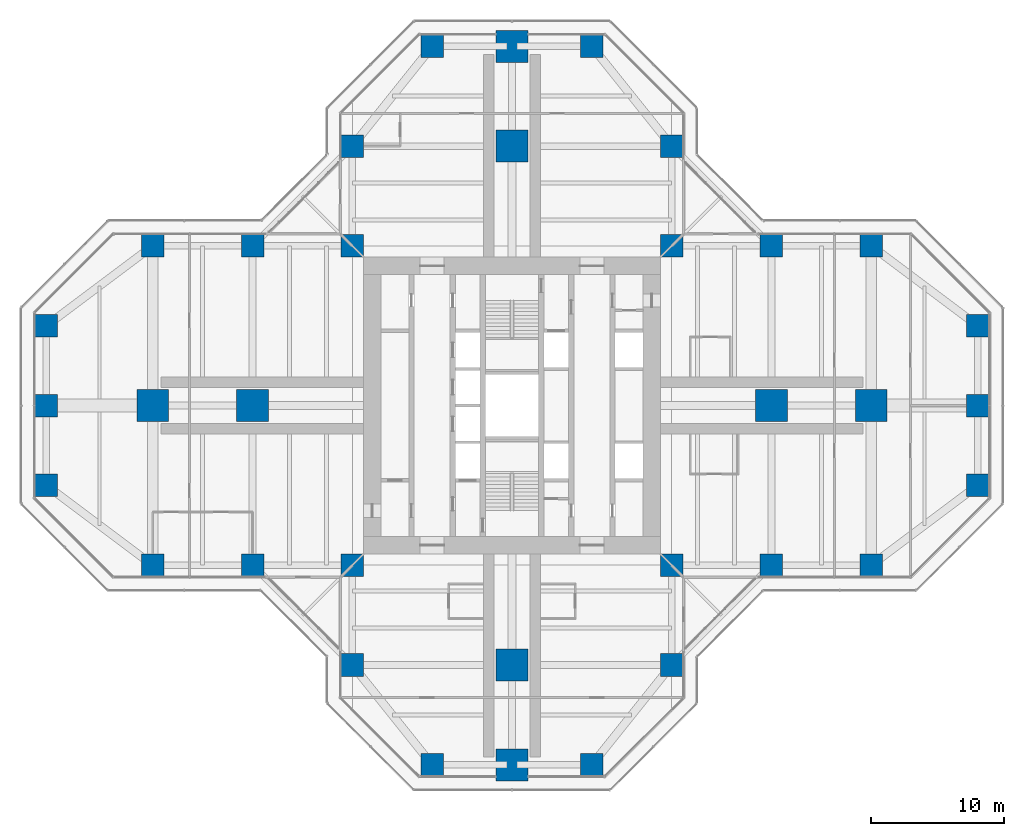
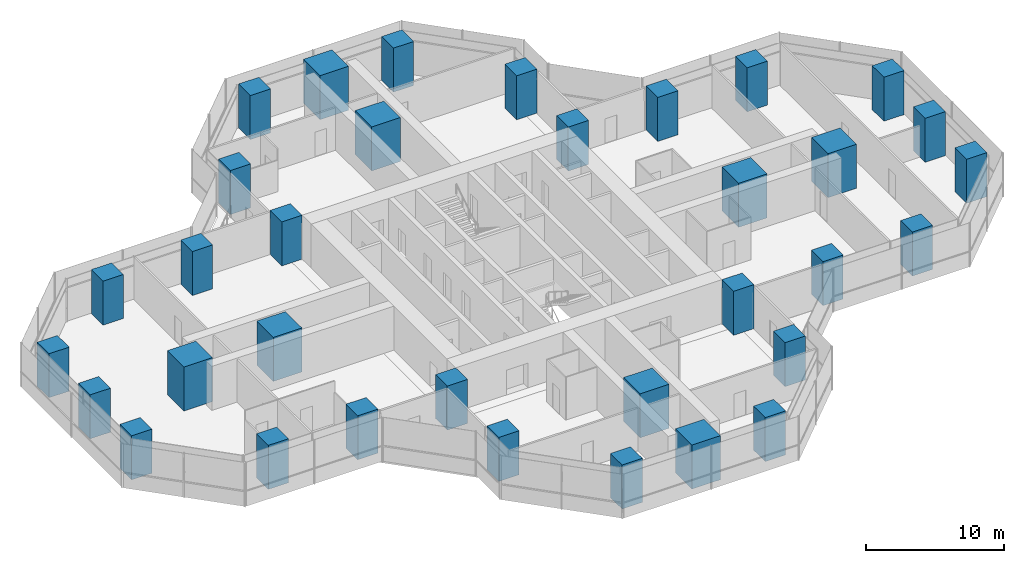
# One storey, part 1 of 19: 34 columns.
"""IFC4 building model written with IfcOpenShell, lengths in metres."""

from ifc_helpers import new_model, si_unit, direction, frame, origin, origin_2d, place, context, subcontext, project, spatial, rectangle, extrude, material, material_profile, profile_set, type_object, element, save


model = new_model("IFC4")

# Units and contexts
model_context = context("Model", 3, precision=1e-05, world=origin(), true_north=direction((0.0, 1.0)))
body_context = subcontext(model_context, "Body", "Model", "MODEL_VIEW")
ifc_project = project(units=[si_unit("LENGTHUNIT", "METRE"), si_unit("AREAUNIT", "SQUARE_METRE"), si_unit("VOLUMEUNIT", "CUBIC_METRE"), si_unit("PLANEANGLEUNIT", "RADIAN"), si_unit("MASSUNIT", "GRAM", prefix="KILO")], contexts=[model_context])

# Site, building, storey
site_placement = place(None, origin())
site = spatial("IfcSite", under=ifc_project, at=site_placement, CompositionType="ELEMENT")
building_placement = place(site_placement, origin())
building = spatial("IfcBuilding", under=site, at=building_placement, Name="Mizan Broadcast Tower", CompositionType="ELEMENT")
storey_placement = place(building_placement, frame((0.0, 0.0, 186.60009765625)))
storey = spatial("IfcBuildingStorey", under=building, at=storey_placement, Name="L43", CompositionType="ELEMENT", Elevation=186.60009765625)

# Columns
ifc_material_1 = material(Name="Concrete C70/85", Category="concrete")
ifc_material_profile_1 = material_profile(ifc_material_1, rectangle(XDim=1.699951171875, YDim=1.699951171875, at=origin_2d()), Name="RC 1700x1700")
ifc_profile_set_1 = profile_set([ifc_material_profile_1], Name="Concrete C70/85")
column_type_1 = type_object("IfcColumnType", Name="RC COLUMN 1700x1700 C70/85", PredefinedType="COLUMN", material=ifc_profile_set_1)
for number, where, z_axis, x_axis, name in (
    (1, (-6.0, -27.0, 0.0), (0.0, 0.0, 1.0), (1.0, 0.0, 0.0), "Column 5/B L43"),
    (2, (6.0, -27.0, 0.0), (0.0, 0.0, 1.0), (1.0, 0.0, 0.0), "Column 7/B L43"),
    (3, (-12.0, -19.5, 0.0), (0.0, 0.0, 1.0), (1.0, 0.0, 0.0), "Column 4/C L43"),
    (4, (12.0, -19.5, 0.0), (0.0, 0.0, 1.0), (1.0, 0.0, 0.0), "Column 8/C L43"),
    (5, (-27.0, -12.0, 0.0), (0.0, 0.0, 1.0), (1.0, 0.0, 0.0), "Column 2/D L43"),
    (6, (-19.5, -12.0, 0.0), (0.0, 0.0, 1.0), (1.0, 0.0, 0.0), "Column 3/D L43"),
    (7, (-12.0, -12.0, 0.0), (0.0, 0.0, 1.0), (1.0, 0.0, 0.0), "Column 4/D L43"),
    (8, (12.0, -12.0, 0.0), (0.0, 0.0, 1.0), (1.0, 0.0, 0.0), "Column 8/D L43"),
    (9, (19.5, -12.0, 0.0), (0.0, 0.0, 1.0), (1.0, 0.0, 0.0), "Column 9/D L43"),
    (10, (27.0, -12.0, 0.0), (0.0, 0.0, 1.0), (1.0, 0.0, 0.0), "Column 10/D L43"),
    (11, (-35.0, -6.0, 0.0), (0.0, 0.0, 1.0), (1.0, 0.0, 0.0), "Column 1/E L43"),
    (12, (35.0, -6.0, 0.0), (0.0, 0.0, 1.0), (1.0, 0.0, 0.0), "Column 11/E L43"),
    (13, (-35.0, 0.0, 0.0), (0.0, 0.0, 1.0), (1.0, 0.0, 0.0), "Column 1/F L43"),
    (14, (35.0, 0.0, 0.0), (0.0, 0.0, 1.0), (1.0, 0.0, 0.0), "Column 11/F L43"),
    (15, (-35.0, 6.0, 0.0), (0.0, 0.0, 1.0), (1.0, 0.0, 0.0), "Column 1/G L43"),
    (16, (35.0, 6.0, 0.0), (0.0, 0.0, 1.0), (1.0, 0.0, 0.0), "Column 11/G L43"),
    (17, (-27.0, 12.0, 0.0), (0.0, 0.0, 1.0), (1.0, 0.0, 0.0), "Column 2/H L43"),
    (18, (-19.5, 12.0, 0.0), (0.0, 0.0, 1.0), (1.0, 0.0, 0.0), "Column 3/H L43"),
    (19, (-12.0, 12.0, 0.0), (0.0, 0.0, 1.0), (1.0, 0.0, 0.0), "Column 4/H L43"),
    (20, (12.0, 12.0, 0.0), (0.0, 0.0, 1.0), (1.0, 0.0, 0.0), "Column 8/H L43"),
    (21, (19.5, 12.0, 0.0), (0.0, 0.0, 1.0), (1.0, 0.0, 0.0), "Column 9/H L43"),
    (22, (27.0, 12.0, 0.0), (0.0, 0.0, 1.0), (1.0, 0.0, 0.0), "Column 10/H L43"),
    (23, (-12.0, 19.5, 0.0), (0.0, 0.0, 1.0), (1.0, 0.0, 0.0), "Column 4/J L43"),
    (24, (12.0, 19.5, 0.0), (0.0, 0.0, 1.0), (1.0, 0.0, 0.0), "Column 8/J L43"),
    (25, (-6.0, 27.0, 0.0), (0.0, 0.0, 1.0), (1.0, 0.0, 0.0), "Column 5/K L43"),
    (26, (6.0, 27.0, 0.0), (0.0, 0.0, 1.0), (1.0, 0.0, 0.0), "Column 7/K L43"),
):
    element("IfcColumn", number, at=place(storey_placement, frame(where, z_axis=z_axis, x_axis=x_axis)), inside=storey, type_object=column_type_1, Name=name, PredefinedType="COLUMN", context=body_context, shape_type="SweptSolid", body=[
        extrude(rectangle(XDim=1.699951171875, YDim=1.699951171875, at=origin_2d()), origin(), (0.0, 0.0, 1.0), 3.89990234375),
    ])
ifc_material_2 = material(Name="Concrete C70/85", Category="concrete")
ifc_material_profile_2 = material_profile(ifc_material_2, rectangle(XDim=2.39990234375, YDim=2.39990234375, at=origin_2d()), Name="RC 2400x2400")
ifc_profile_set_2 = profile_set([ifc_material_profile_2], Name="Concrete C70/85")
column_type_2 = type_object("IfcColumnType", Name="RC COLUMN 2400x2400 C70/85", PredefinedType="COLUMN", material=ifc_profile_set_2)
for number, where, z_axis, x_axis, name in (
    (27, (0.0, -27.0, 0.0), (0.0, 0.0, 1.0), (1.0, 0.0, 0.0), "Column 6/B L43"),
    (28, (0.0, -19.5, 0.0), (0.0, 0.0, 1.0), (1.0, 0.0, 0.0), "Column 6/C L43"),
    (29, (-27.0, 0.0, 0.0), (0.0, 0.0, 1.0), (1.0, 0.0, 0.0), "Column 2/F L43"),
    (30, (-19.5, 0.0, 0.0), (0.0, 0.0, 1.0), (1.0, 0.0, 0.0), "Column 3/F L43"),
    (31, (19.5, 0.0, 0.0), (0.0, 0.0, 1.0), (1.0, 0.0, 0.0), "Column 9/F L43"),
    (32, (27.0, 0.0, 0.0), (0.0, 0.0, 1.0), (1.0, 0.0, 0.0), "Column 10/F L43"),
    (33, (0.0, 19.5, 0.0), (0.0, 0.0, 1.0), (1.0, 0.0, 0.0), "Column 6/J L43"),
    (34, (0.0, 27.0, 0.0), (0.0, 0.0, 1.0), (1.0, 0.0, 0.0), "Column 6/K L43"),
):
    element("IfcColumn", number, at=place(storey_placement, frame(where, z_axis=z_axis, x_axis=x_axis)), inside=storey, type_object=column_type_2, Name=name, PredefinedType="COLUMN", context=body_context, shape_type="SweptSolid", body=[
        extrude(rectangle(XDim=2.39990234375, YDim=2.39990234375, at=origin_2d()), origin(), (0.0, 0.0, 1.0), 3.89990234375),
    ])

save(model, "model.ifc")
